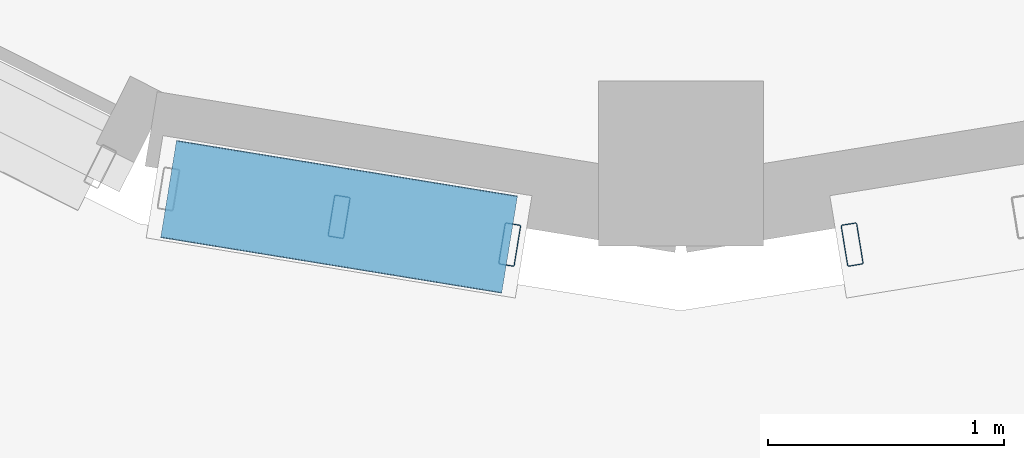
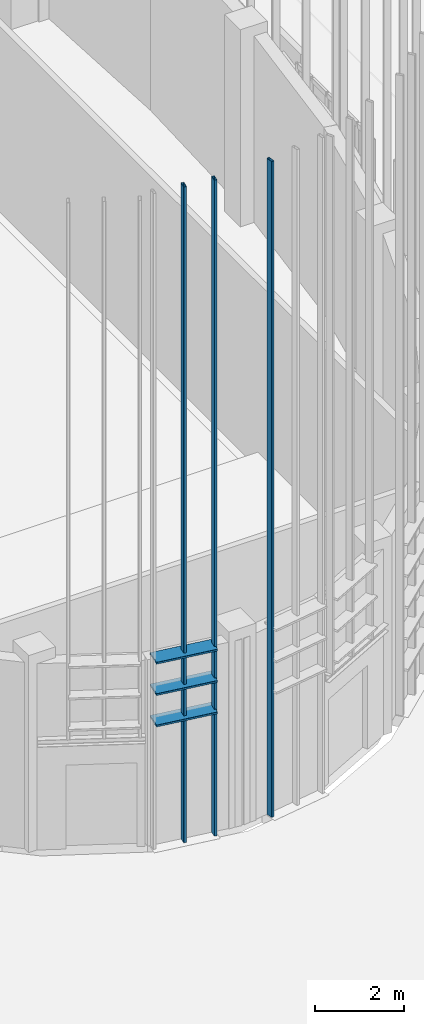
# One storey, part 254 of 372: 6 members.
"""IFC4 building model written with IfcOpenShell, lengths in metres."""

import ifcopenshell
import ifcopenshell.guid

model = None  # the IFC model being written
_history = None  # IfcOwnerHistory: only IFC2X3 demands one
_inside = {}  # id of a spatial element -> (the spatial element, [elements in it])
_under = {}  # id of a project, library or spatial element -> (it, [spatial elements below it])
_declared = {}  # id of a project -> (the project, [libraries it declares])
_typed = {}  # id of a type object -> (the type object, [elements of that type])
_made_of = {}  # id of a material, layer set ... -> (it, [elements and type objects made of it])


def new_model(schema):
    """Start an empty IFC model of exactly this schema.

    Asked for "IFC4X3", IfcOpenShell would pick the latest addendum, in which some entities
    have other attributes; the version numbers below select the first issue.
    IFC2X3 requires an IfcOwnerHistory on every rooted entity: one is made here for all.
    """
    global model, _history
    if schema == "IFC4X3":
        model = ifcopenshell.file(schema_version=(4, 3, 0, 0))
    else:
        model = ifcopenshell.file(schema=schema)
    _inside.clear()
    _under.clear()
    _declared.clear()
    _typed.clear()
    _made_of.clear()
    _history = None
    if model.schema == "IFC2X3":
        org = make("IfcOrganization", Name="unknown")
        user = make(
            "IfcPersonAndOrganization",
            ThePerson=make("IfcPerson", FamilyName="unknown"),
            TheOrganization=org,
        )
        app = make(
            "IfcApplication",
            ApplicationDeveloper=org,
            Version="unknown",
            ApplicationFullName="unknown",
            ApplicationIdentifier="unknown",
        )
        _history = make(
            "IfcOwnerHistory",
            OwningUser=user,
            OwningApplication=app,
            ChangeAction="ADDED",
            CreationDate=0,
        )
    return model


def make(cls, **values):
    """One entity of the class cls with the attributes given. An attribute that is None is left unset."""
    return model.create_entity(
        cls, **{name: value for name, value in values.items() if value is not None}
    )


def rooted(cls, **values):
    """An entity with a GlobalId (a new one), such as an element, a storey or a relation."""
    return make(cls, GlobalId=ifcopenshell.guid.new(), OwnerHistory=_history, **values)


def si_unit(unit_type, name, prefix=None):
    """IfcSIUnit, for example si_unit("LENGTHUNIT", "METRE", prefix="MILLI")."""
    return make("IfcSIUnit", UnitType=unit_type, Prefix=prefix, Name=name)


def assignment(units):
    """IfcUnitAssignment: the units of a project."""
    return None if units is None else make("IfcUnitAssignment", Units=units)


def point(xyz):
    """IfcCartesianPoint."""
    return None if xyz is None else make("IfcCartesianPoint", Coordinates=xyz)


def direction(xyz):
    """IfcDirection."""
    return None if xyz is None else make("IfcDirection", DirectionRatios=xyz)


def frame(location, z_axis=None, x_axis=None):
    """IfcAxis2Placement3D, a coordinate frame: its origin and axes. An axis left out is left unset."""
    return make(
        "IfcAxis2Placement3D",
        Location=point(location),
        Axis=direction(z_axis),
        RefDirection=direction(x_axis),
    )


def frame_2d(location, x_axis=None):
    """IfcAxis2Placement2D, a coordinate frame in the plane: its origin and x axis."""
    return make(
        "IfcAxis2Placement2D", Location=point(location), RefDirection=direction(x_axis)
    )


def origin():
    """The frame at (0, 0, 0) with its axes left unset."""
    return frame((0.0, 0.0, 0.0))


def origin_2d():
    """The frame at (0, 0) in the plane with its x axis left unset."""
    return frame_2d((0.0, 0.0))


def place(relative_to, where):
    """IfcLocalPlacement: puts the frame where relative to a parent placement (None: the world)."""
    return make(
        "IfcLocalPlacement", PlacementRelTo=relative_to, RelativePlacement=where
    )


def context(
    kind, dimensions, precision=None, world=None, true_north=None, identifier=None
):
    """IfcGeometricRepresentationContext, for example the 3D "Model" context."""
    return make(
        "IfcGeometricRepresentationContext",
        ContextIdentifier=identifier,
        ContextType=kind,
        CoordinateSpaceDimension=dimensions,
        Precision=precision,
        WorldCoordinateSystem=world,
        TrueNorth=true_north,
    )


def subcontext(parent, identifier, kind, view, scale=None):
    """IfcGeometricRepresentationSubContext, for example "Body" below "Model"."""
    return make(
        "IfcGeometricRepresentationSubContext",
        ContextIdentifier=identifier,
        ContextType=kind,
        ParentContext=parent,
        TargetScale=scale,
        TargetView=view,
    )


def project(units=None, contexts=None):
    """IfcProject with its units and contexts."""
    return rooted(
        "IfcProject",
        Name="project",
        RepresentationContexts=contexts,
        UnitsInContext=assignment(units),
    )


def spatial(cls, under=None, at=None, **own):
    """A site, building, storey or space (cls), placed at a placement, below another one or the project."""
    s = rooted(cls, ObjectPlacement=at, **own)
    if under is not None:
        _under.setdefault(under.id(), (under, []))[1].append(s)
    return s


def profile(cls, at=None, kind="AREA", **sizes):
    """A parametric profile (cls). Its sizes go by their IFC names, for example OverallWidth=200.0."""
    return make(cls, ProfileType=kind, Position=at, **sizes)


def hollow_rectangle(**sizes):
    """IfcRectangleHollowProfileDef."""
    return profile("IfcRectangleHollowProfileDef", **sizes)


def extrude(swept, where, along, depth):
    """IfcExtrudedAreaSolid: the profile swept, set in the frame where, extruded along a direction by depth."""
    return make(
        "IfcExtrudedAreaSolid",
        SweptArea=swept,
        Position=where,
        ExtrudedDirection=direction(along),
        Depth=depth,
    )


def shape(context_of_items, identifier, shape_type, items):
    """IfcShapeRepresentation: the items that make up one representation, for example the "Body"."""
    return make(
        "IfcShapeRepresentation",
        ContextOfItems=context_of_items,
        RepresentationIdentifier=identifier,
        RepresentationType=shape_type,
        Items=items,
    )


def material(Name=None, Category=None):
    """IfcMaterial."""
    return make("IfcMaterial", Name=Name, Category=Category)


def material_profile(
    of_material, cross_section, Name=None, Category=None, Priority=None
):
    """IfcMaterialProfile: a cross section and its material."""
    return make(
        "IfcMaterialProfile",
        Name=Name,
        Material=of_material,
        Profile=cross_section,
        Priority=Priority,
        Category=Category,
    )


def profile_set(profiles, Name=None, composite=None):
    """IfcMaterialProfileSet."""
    return make(
        "IfcMaterialProfileSet",
        Name=Name,
        MaterialProfiles=profiles,
        CompositeProfile=composite,
    )


def made_of(thing, what):
    """Note that an element or type object is made of a material, layer set ...; save() writes the relation."""
    if what is not None:
        _made_of.setdefault(what.id(), (what, []))[1].append(thing)
    return thing


def type_object(cls, material=None, **own):
    """A type object (cls), such as IfcWallType, which elements share."""
    return made_of(rooted(cls, **own), material)


def element(
    cls,
    number,
    at=None,
    inside=None,
    cuts=None,
    type_object=None,
    material=None,
    context=None,
    identifier="Body",
    shape_type=None,
    held_by="IfcProductDefinitionShape",
    body=None,
    shapes=None,
    **own,
):
    """One element of the class cls, such as IfcWall. Its Tag is "e" and its number.

    at: its placement. inside: the storey or other place that contains it. cuts: it is an
    opening in that element (IfcRelVoidsElement). A single representation is given by context,
    identifier, shape_type and body (its items); several are given by shapes. held_by: the class
    of the entity that holds the representations. save() writes the other relations.
    """
    e = rooted(cls, Tag="e%d" % number, ObjectPlacement=at, **own)
    if body is not None:
        shapes = [shape(context, identifier, shape_type, body)]
    if shapes is not None:
        e.Representation = make(held_by, Representations=shapes)
    if inside is not None:
        _inside.setdefault(inside.id(), (inside, []))[1].append(e)
    if cuts is not None:
        rooted(
            "IfcRelVoidsElement", RelatingBuildingElement=cuts, RelatedOpeningElement=e
        )
    if type_object is not None:
        _typed.setdefault(type_object.id(), (type_object, []))[1].append(e)
    return made_of(e, material)


def aggregate(whole, parts):
    """IfcRelAggregates: a whole, such as a stair, and the parts it consists of."""
    return rooted("IfcRelAggregates", RelatingObject=whole, RelatedObjects=parts)


def save(model, path):
    """Write the relations noted so far, then the file.

    IfcRelAggregates (storeys below a building ...), IfcRelContainedInSpatialStructure (elements
    in a storey), IfcRelDefinesByType, IfcRelAssociatesMaterial and IfcRelDeclares: one each for
    every whole, place, type object, material and project.
    """
    for whole, parts in _under.values():
        aggregate(whole, parts)
    for where, things in _inside.values():
        rooted(
            "IfcRelContainedInSpatialStructure",
            RelatedElements=things,
            RelatingStructure=where,
        )
    for kind, things in _typed.values():
        rooted("IfcRelDefinesByType", RelatedObjects=things, RelatingType=kind)
    for what, things in _made_of.values():
        rooted("IfcRelAssociatesMaterial", RelatedObjects=things, RelatingMaterial=what)
    for by, libraries in _declared.values():
        rooted("IfcRelDeclares", RelatingContext=by, RelatedDefinitions=libraries)
    model.write(path)


model = new_model("IFC4")

# Units and contexts
model_context = context("Model", 3, precision=1e-05, world=origin(), true_north=direction((0.0, 1.0)))
body_context = subcontext(model_context, "Body", "Model", "MODEL_VIEW")
ifc_project = project(units=[si_unit("LENGTHUNIT", "METRE"), si_unit("AREAUNIT", "SQUARE_METRE"), si_unit("VOLUMEUNIT", "CUBIC_METRE"), si_unit("PLANEANGLEUNIT", "RADIAN"), si_unit("MASSUNIT", "GRAM", prefix="KILO")], contexts=[model_context])

# Site, building, storey
site_placement = place(None, origin())
site = spatial("IfcSite", under=ifc_project, at=site_placement, CompositionType="ELEMENT")
building_placement = place(site_placement, origin())
building = spatial("IfcBuilding", under=site, at=building_placement, Name="Kaelora Sail Theatre", CompositionType="ELEMENT")
storey_placement = place(building_placement, origin())
storey = spatial("IfcBuildingStorey", under=building, at=storey_placement, Name="L00", CompositionType="ELEMENT", Elevation=0.0)

# Members
ifc_material_1 = material(Name="Anodised aluminium 6063-T6", Category="aluminium")
ifc_material_profile_1 = material_profile(ifc_material_1, hollow_rectangle(XDim=0.419921875, YDim=0.054931640625, WallThickness=0.00390625, InnerFilletRadius=0.00390625, OuterFilletRadius=0.008056640625, at=origin_2d()), Name="LOUVRE 420x55x4")
ifc_profile_set_1 = profile_set([ifc_material_profile_1], Name="Anodised aluminium 6063-T6")
member_type_1 = type_object("IfcMemberType", Name="ARC-MEM-LVR-420", PredefinedType="USERDEFINED", material=ifc_profile_set_1)
for number, where, z_axis, x_axis, name in (
    (1, (134.42333984375, 23.6953125, 3.449951171875), (-0.986990076576, 0.160781182795, 0.0), (-0.160781182795, -0.986990076576, 0.0), "Black-Box and Experimental Sail Wing horizontal solar louvre C11-01"),
    (2, (134.42333984375, 23.6953125, 4.31005859375), (-0.986990076576, 0.160781182795, 0.0), (-0.160781182795, -0.986990076576, 0.0), "Black-Box and Experimental Sail Wing horizontal solar louvre C11-02"),
    (3, (134.42333984375, 23.6953125, 5.169921875), (-0.986990076576, 0.160781182795, 0.0), (-0.160781182795, -0.986990076576, 0.0), "Black-Box and Experimental Sail Wing horizontal solar louvre C11-03"),
):
    element("IfcMember", number, at=place(storey_placement, frame(where, z_axis=z_axis, x_axis=x_axis)), inside=storey, type_object=member_type_1, Name=name, ObjectType="LOUVRE", PredefinedType="USERDEFINED", context=body_context, shape_type="SweptSolid", body=[
        extrude(hollow_rectangle(XDim=0.419921875, YDim=0.054931640625, WallThickness=0.00390625, InnerFilletRadius=0.00390625, OuterFilletRadius=0.008056640625, at=origin_2d()), origin(), (0.0, 0.0, 1.0), 1.466796875),
    ])
ifc_material_2 = material(Name="Anodised aluminium 6063-T6", Category="aluminium")
ifc_material_profile_2 = material_profile(ifc_material_2, hollow_rectangle(XDim=0.070068359375, YDim=0.179931640625, WallThickness=0.00390625, InnerFilletRadius=0.00390625, OuterFilletRadius=0.008056640625, at=origin_2d()), Name="ALU-MULL 70x180x4")
ifc_profile_set_2 = profile_set([ifc_material_profile_2], Name="Anodised aluminium 6063-T6")
member_type_2 = type_object("IfcMemberType", Name="ARC-MEM-PST-160", PredefinedType="POST", material=ifc_profile_set_2)
for number, where, z_axis, x_axis, name in (
    (4, (135.876708984375, 23.6953125, 0.0), (0.0, 0.0, 1.0), (-0.986968296657, -0.160914826518, 0.0), "Black-Box and Experimental Sail Wing solar louvre vertical support post C10-3"),
    (5, (134.42333984375, 23.6953125, 0.0), (0.0, 0.0, 1.0), (-0.986968296657, 0.160914826518, 0.0), "Black-Box and Experimental Sail Wing solar louvre vertical support post C11-1"),
    (6, (133.699462890625, 23.813232421875, 0.0), (0.0, 0.0, 1.0), (-0.986968296657, 0.160914826518, 0.0), "Black-Box and Experimental Sail Wing solar louvre vertical support post C11-2"),
):
    element("IfcMember", number, at=place(storey_placement, frame(where, z_axis=z_axis, x_axis=x_axis)), inside=storey, type_object=member_type_2, Name=name, PredefinedType="POST", context=body_context, shape_type="SweptSolid", body=[
        extrude(hollow_rectangle(XDim=0.070068359375, YDim=0.179931640625, WallThickness=0.00390625, InnerFilletRadius=0.00390625, OuterFilletRadius=0.008056640625, at=origin_2d()), origin(), (0.0, 0.0, 1.0), 17.973388671875),
    ])

save(model, "model.ifc")
